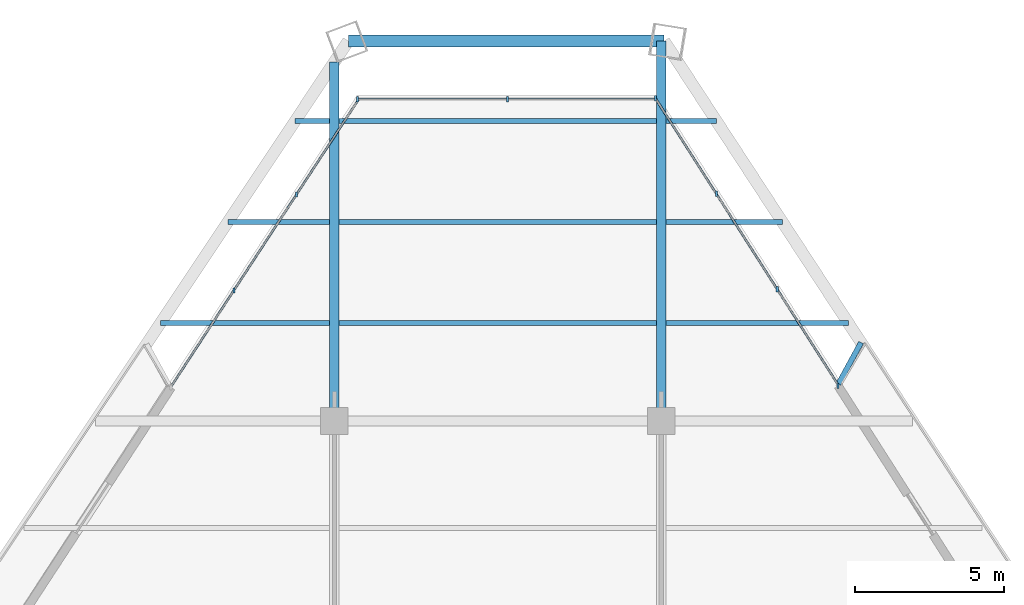
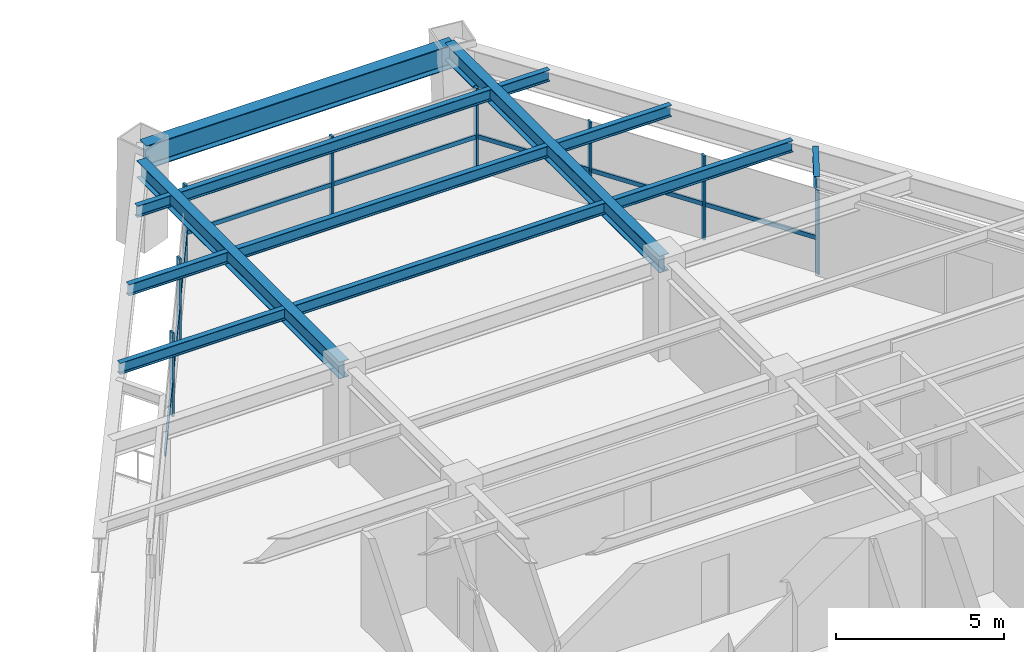
# One storey, part 9 of 15: 16 members, 13 beams, 3 elements without a shape of their own.
"""IFC4 building model written with IfcOpenShell, lengths in metres."""

from ifc_helpers import new_model, si_unit, direction, frame, origin, origin_2d, place, context, subcontext, project, spatial, rectangle, i_section, extrude, source, transform, mapped, material, material_profile, profile_set, type_object, element, aggregate, save


model = new_model("IFC4")

# Units and contexts
model_context = context("Model", 3, precision=1e-05, world=origin(), true_north=direction((0.0, 1.0)))
body_context = subcontext(model_context, "Body", "Model", "MODEL_VIEW")
ifc_project = project(units=[si_unit("LENGTHUNIT", "METRE"), si_unit("AREAUNIT", "SQUARE_METRE"), si_unit("VOLUMEUNIT", "CUBIC_METRE"), si_unit("PLANEANGLEUNIT", "RADIAN"), si_unit("MASSUNIT", "GRAM", prefix="KILO")], contexts=[model_context])

# Site, building, storey
site_placement = place(None, origin())
site = spatial("IfcSite", under=ifc_project, at=site_placement, CompositionType="ELEMENT")
building_placement = place(site_placement, origin())
building = spatial("IfcBuilding", under=site, at=building_placement, Name="Varnakhor Terracotta Tower", CompositionType="ELEMENT")
storey_placement = place(building_placement, frame((0.0, 0.0, 136.699951171875)))
storey = spatial("IfcBuildingStorey", under=building, at=storey_placement, Name="L34", CompositionType="ELEMENT", Elevation=136.699951171875)

# Beams
ifc_material_1 = material(Name="Steel S355", Category="steel")
ifc_material_profile_1 = material_profile(ifc_material_1, i_section(OverallWidth=0.179931640625, OverallDepth=0.4130859375, WebThickness=0.009765625, FlangeThickness=0.01611328125, FilletRadius=0.01806640625, at=origin_2d()), Name="W16X50")
ifc_profile_set_1 = profile_set([ifc_material_profile_1], Name="Steel S355")
beam_type_1 = type_object("IfcBeamType", Name="JST-W16X50", PredefinedType="JOIST", material=ifc_profile_set_1)
shared_shape_1 = source(origin(), body_context, "Body", "SweptSolid", [
    extrude(i_section(OverallWidth=0.179931640625, OverallDepth=0.4130859375, WebThickness=0.009765625, FlangeThickness=0.01611328125, FilletRadius=0.01806640625, at=origin_2d()), origin(), (0.0, 0.0, 1.0), 10.68310546875),
])
for number, where, z_axis, x_axis, name in (
    (1, (-5.341552734375, 34.800048828125, 3.263427734375), (1.0, 0.0, 0.0), (0.0, 1.0, 0.0), "L34 Composite Floor Joist 7-2"),
    (2, (-5.341552734375, 38.199951171875, 3.263427734375), (1.0, 0.0, 0.0), (0.0, 1.0, 0.0), "L34 Composite Floor Joist 8-2"),
    (3, (-5.341552734375, 41.60009765625, 3.263427734375), (1.0, 0.0, 0.0), (0.0, 1.0, 0.0), "L34 Composite Floor Joist 9-2"),
):
    element("IfcBeam", number, at=place(storey_placement, frame(where, z_axis=z_axis, x_axis=x_axis)), inside=storey, type_object=beam_type_1, Name=name, PredefinedType="JOIST", context=body_context, shape_type="MappedRepresentation", body=[
        mapped(shared_shape_1, transform((0.0, 0.0, 0.0), scale=1.0)),
    ])
ifc_material_profile_2 = material_profile(ifc_material_1, i_section(OverallWidth=0.39990234375, OverallDepth=0.85498046875, WebThickness=0.01806640625, FlangeThickness=0.029052734375, FilletRadius=0.01806640625, at=origin_2d()), Name="W33X201")
ifc_profile_set_2 = profile_set([ifc_material_profile_2], Name="Steel S355")
beam_type_2 = type_object("IfcBeamType", Name="BM-W33X201", PredefinedType="BEAM", material=ifc_profile_set_2)
shared_shape_2 = source(origin(), body_context, "Body", "SweptSolid", [
    extrude(i_section(OverallWidth=0.39990234375, OverallDepth=0.85498046875, WebThickness=0.01806640625, FlangeThickness=0.029052734375, FilletRadius=0.01806640625, at=origin_2d()), origin(), (0.0, 0.0, 1.0), 10.63232421875),
])
beam_1_placement = place(storey_placement, frame((5.600830078125, 44.288330078125, 3.04248046875), z_axis=(-1.0, 0.0, 0.0), x_axis=(0.0, -1.0, 0.0)))
element("IfcBeam", 4, at=beam_1_placement, inside=storey, type_object=beam_type_2, Name="L34 Perimeter Spandrel 5", PredefinedType="BEAM", context=body_context, shape_type="MappedRepresentation", body=[
    mapped(shared_shape_2, transform((0.0, 0.0, 0.0), scale=1.0)),
])
ifc_material_profile_3 = material_profile(ifc_material_1, i_section(OverallWidth=0.324951171875, OverallDepth=0.615966796875, WebThickness=0.013916015625, FlangeThickness=0.02197265625, FilletRadius=0.01806640625, at=origin_2d()), Name="W24X117")
ifc_profile_set_3 = profile_set([ifc_material_profile_3], Name="Steel S355")
beam_type_3 = type_object("IfcBeamType", Name="BM-W24X117", PredefinedType="BEAM", material=ifc_profile_set_3)
shared_shape_3 = source(origin(), body_context, "Body", "SweptSolid", [
    extrude(i_section(OverallWidth=0.324951171875, OverallDepth=0.615966796875, WebThickness=0.013916015625, FlangeThickness=0.02197265625, FilletRadius=0.01806640625, at=origin_2d()), origin(), (0.0, 0.0, 1.0), 12.0849609375),
])
beam_2_placement = place(storey_placement, frame((-5.5, 31.5, 3.162109375), z_axis=(0.0, 1.0, 0.0), x_axis=(-1.0, 0.0, 0.0)))
element("IfcBeam", 5, at=beam_2_placement, inside=storey, type_object=beam_type_3, Name="L34 Primary Girder NS3-W", PredefinedType="BEAM", context=body_context, shape_type="MappedRepresentation", body=[
    mapped(shared_shape_3, transform((0.0, 0.0, 0.0), scale=1.0)),
])
shared_shape_4 = source(origin(), body_context, "Body", "SweptSolid", [
    extrude(i_section(OverallWidth=0.324951171875, OverallDepth=0.615966796875, WebThickness=0.013916015625, FlangeThickness=0.02197265625, FilletRadius=0.01806640625, at=origin_2d()), origin(), (0.0, 0.0, 1.0), 12.788330078125),
])
beam_3_placement = place(storey_placement, frame((5.5, 31.5, 3.162109375), z_axis=(0.0, 1.0, 0.0), x_axis=(-1.0, 0.0, 0.0)))
element("IfcBeam", 6, at=beam_3_placement, inside=storey, type_object=beam_type_3, Name="L34 Primary Girder NS3-E", PredefinedType="BEAM", context=body_context, shape_type="MappedRepresentation", body=[
    mapped(shared_shape_4, transform((0.0, 0.0, 0.0), scale=1.0)),
])
shared_shape_5 = source(origin(), body_context, "Body", "SweptSolid", [
    extrude(i_section(OverallWidth=0.179931640625, OverallDepth=0.4130859375, WebThickness=0.009765625, FlangeThickness=0.01611328125, FilletRadius=0.01806640625, at=origin_2d()), origin(), (0.0, 0.0, 1.0), 5.69189453125),
])
beam_4_placement = place(storey_placement, frame((-11.350341796875, 34.800048828125, 3.263427734375), z_axis=(1.0, 0.0, 0.0), x_axis=(0.0, 1.0, 0.0)))
element("IfcBeam", 7, at=beam_4_placement, inside=storey, type_object=beam_type_1, Name="L34 Composite Floor Joist 7-1", PredefinedType="JOIST", context=body_context, shape_type="MappedRepresentation", body=[
    mapped(shared_shape_5, transform((0.0, 0.0, 0.0), scale=1.0)),
])
shared_shape_6 = source(origin(), body_context, "Body", "SweptSolid", [
    extrude(i_section(OverallWidth=0.179931640625, OverallDepth=0.4130859375, WebThickness=0.009765625, FlangeThickness=0.01611328125, FilletRadius=0.01806640625, at=origin_2d()), origin(), (0.0, 0.0, 1.0), 6.13916015625),
])
beam_5_placement = place(storey_placement, frame((5.658447265625, 34.800048828125, 3.263427734375), z_axis=(1.0, 0.0, 0.0), x_axis=(0.0, 1.0, 0.0)))
element("IfcBeam", 8, at=beam_5_placement, inside=storey, type_object=beam_type_1, Name="L34 Composite Floor Joist 7-3", PredefinedType="JOIST", context=body_context, shape_type="MappedRepresentation", body=[
    mapped(shared_shape_6, transform((0.0, 0.0, 0.0), scale=1.0)),
])
shared_shape_7 = source(origin(), body_context, "Body", "SweptSolid", [
    extrude(i_section(OverallWidth=0.179931640625, OverallDepth=0.4130859375, WebThickness=0.009765625, FlangeThickness=0.01611328125, FilletRadius=0.01806640625, at=origin_2d()), origin(), (0.0, 0.0, 1.0), 3.427734375),
])
beam_6_placement = place(storey_placement, frame((-9.086181640625, 38.199951171875, 3.263427734375), z_axis=(1.0, 0.0, 0.0), x_axis=(0.0, 1.0, 0.0)))
element("IfcBeam", 9, at=beam_6_placement, inside=storey, type_object=beam_type_1, Name="L34 Composite Floor Joist 8-1", PredefinedType="JOIST", context=body_context, shape_type="MappedRepresentation", body=[
    mapped(shared_shape_7, transform((0.0, 0.0, 0.0), scale=1.0)),
])
shared_shape_8 = source(origin(), body_context, "Body", "SweptSolid", [
    extrude(i_section(OverallWidth=0.179931640625, OverallDepth=0.4130859375, WebThickness=0.009765625, FlangeThickness=0.01611328125, FilletRadius=0.01806640625, at=origin_2d()), origin(), (0.0, 0.0, 1.0), 3.918701171875),
])
beam_7_placement = place(storey_placement, frame((5.658447265625, 38.199951171875, 3.263427734375), z_axis=(1.0, 0.0, 0.0), x_axis=(0.0, 1.0, 0.0)))
element("IfcBeam", 10, at=beam_7_placement, inside=storey, type_object=beam_type_1, Name="L34 Composite Floor Joist 8-3", PredefinedType="JOIST", context=body_context, shape_type="MappedRepresentation", body=[
    mapped(shared_shape_8, transform((0.0, 0.0, 0.0), scale=1.0)),
])
shared_shape_9 = source(origin(), body_context, "Body", "SweptSolid", [
    extrude(i_section(OverallWidth=0.179931640625, OverallDepth=0.4130859375, WebThickness=0.009765625, FlangeThickness=0.01611328125, FilletRadius=0.01806640625, at=origin_2d()), origin(), (0.0, 0.0, 1.0), 1.16357421875),
])
beam_8_placement = place(storey_placement, frame((-6.822021484375, 41.60009765625, 3.263427734375), z_axis=(1.0, 0.0, 0.0), x_axis=(0.0, 1.0, 0.0)))
element("IfcBeam", 11, at=beam_8_placement, inside=storey, type_object=beam_type_1, Name="L34 Composite Floor Joist 9-1", PredefinedType="JOIST", context=body_context, shape_type="MappedRepresentation", body=[
    mapped(shared_shape_9, transform((0.0, 0.0, 0.0), scale=1.0)),
])
shared_shape_10 = source(origin(), body_context, "Body", "SweptSolid", [
    extrude(i_section(OverallWidth=0.179931640625, OverallDepth=0.4130859375, WebThickness=0.009765625, FlangeThickness=0.01611328125, FilletRadius=0.01806640625, at=origin_2d()), origin(), (0.0, 0.0, 1.0), 1.6982421875),
])
beam_9_placement = place(storey_placement, frame((5.658447265625, 41.60009765625, 3.263427734375), z_axis=(1.0, 0.0, 0.0), x_axis=(0.0, 1.0, 0.0)))
element("IfcBeam", 12, at=beam_9_placement, inside=storey, type_object=beam_type_1, Name="L34 Composite Floor Joist 9-3", PredefinedType="JOIST", context=body_context, shape_type="MappedRepresentation", body=[
    mapped(shared_shape_10, transform((0.0, 0.0, 0.0), scale=1.0)),
])

# Curtain wall, members
ifc_material_2 = material(Name="Anodised Aluminium Curtain Wall System", Category="aluminium")
curtain_wall_type = type_object("IfcCurtainWallType", Name="CW-SYS-MID-OFFICE", PredefinedType="NOTDEFINED", material=ifc_material_2)
curtain_wall_1_placement = place(storey_placement, origin())
curtain_wall_1 = element("IfcCurtainWall", 13, at=curtain_wall_1_placement, inside=storey, type_object=curtain_wall_type, Name="L34 W Facet Curtain Wall 2", PredefinedType="NOTDEFINED")
ifc_material_3 = material(Name="Anodised Aluminium 6063-T6", Category="aluminium")
ifc_material_profile_4 = material_profile(ifc_material_3, rectangle(XDim=0.070068359375, YDim=0.175048828125, at=origin_2d()), Name="ALU MULLION 70x175")
ifc_profile_set_4 = profile_set([ifc_material_profile_4], Name="Anodised Aluminium 6063-T6")
member_type_1 = type_object("IfcMemberType", Name="CWM-03", PredefinedType="MULLION", material=ifc_profile_set_4)
shared_shape_11 = source(origin(), body_context, "Body", "SweptSolid", [
    extrude(rectangle(XDim=0.070068359375, YDim=0.175048828125, at=origin_2d()), origin(), (0.0, 0.0, 1.0), 3.050048828125),
])
member_1_placement = place(storey_placement, frame((-8.88330078125, 35.895751953125, 0.0), z_axis=(0.0, 0.0, 1.0), x_axis=(1.0, 0.0, 0.0)))
member_1 = element("IfcMember", 14, at=member_1_placement, type_object=member_type_1, Name="L34 W Facet Curtain Wall 2 Mullion 2", PredefinedType="MULLION", context=body_context, shape_type="MappedRepresentation", body=[
    mapped(shared_shape_11, transform((0.0, 0.0, 0.0), scale=1.0)),
])
member_2_placement = place(storey_placement, frame((-6.7724609375, 39.12841796875, 0.0), z_axis=(0.0, 0.0, 1.0), x_axis=(1.0, 0.0, 0.0)))
member_2 = element("IfcMember", 15, at=member_2_placement, type_object=member_type_1, Name="L34 W Facet Curtain Wall 2 Mullion 3", PredefinedType="MULLION", context=body_context, shape_type="MappedRepresentation", body=[
    mapped(shared_shape_11, transform((0.0, 0.0, 0.0), scale=1.0)),
])

curtain_wall_2_placement = place(storey_placement, origin())
curtain_wall_2 = element("IfcCurtainWall", 16, at=curtain_wall_2_placement, inside=storey, type_object=curtain_wall_type, Name="L34 Facet Curtain Wall 2", PredefinedType="NOTDEFINED")
member_3_placement = place(storey_placement, frame((-4.716064453125, 42.33203125, 0.0), z_axis=(0.0, 0.0, 1.0), x_axis=(1.0, 0.0, 0.0)))
member_3 = element("IfcMember", 17, at=member_3_placement, type_object=member_type_1, Name="L34 Facet Curtain Wall 2 Mullion 1", PredefinedType="MULLION", context=body_context, shape_type="MappedRepresentation", body=[
    mapped(shared_shape_11, transform((0.0, 0.0, 0.0), scale=1.0)),
])
member_4_placement = place(storey_placement, frame((0.32275390625, 42.33203125, 0.0), z_axis=(0.0, 0.0, 1.0), x_axis=(1.0, 0.0, 0.0)))
member_4 = element("IfcMember", 18, at=member_4_placement, type_object=member_type_1, Name="L34 Facet Curtain Wall 2 Mullion 2", PredefinedType="MULLION", context=body_context, shape_type="MappedRepresentation", body=[
    mapped(shared_shape_11, transform((0.0, 0.0, 0.0), scale=1.0)),
])

curtain_wall_3_placement = place(storey_placement, origin())
curtain_wall_3 = element("IfcCurtainWall", 19, at=curtain_wall_3_placement, inside=storey, type_object=curtain_wall_type, Name="L34 E Facet Curtain Wall 1", PredefinedType="NOTDEFINED")
member_5_placement = place(storey_placement, frame((5.306640625, 42.3623046875, 0.0), z_axis=(0.0, 0.0, 1.0), x_axis=(1.0, 0.0, 0.0)))
member_5 = element("IfcMember", 20, at=member_5_placement, type_object=member_type_1, Name="L34 E Facet Curtain Wall 1 Mullion 1", PredefinedType="MULLION", context=body_context, shape_type="MappedRepresentation", body=[
    mapped(shared_shape_11, transform((0.0, 0.0, 0.0), scale=1.0)),
])
member_6_placement = place(storey_placement, frame((7.356689453125, 39.147216796875, 0.0), z_axis=(0.0, 0.0, 1.0), x_axis=(1.0, 0.0, 0.0)))
member_6 = element("IfcMember", 21, at=member_6_placement, type_object=member_type_1, Name="L34 E Facet Curtain Wall 1 Mullion 2", PredefinedType="MULLION", context=body_context, shape_type="MappedRepresentation", body=[
    mapped(shared_shape_11, transform((0.0, 0.0, 0.0), scale=1.0)),
])
member_7_placement = place(storey_placement, frame((9.40673828125, 35.93212890625, 0.0), z_axis=(0.0, 0.0, 1.0), x_axis=(1.0, 0.0, 0.0)))
member_7 = element("IfcMember", 22, at=member_7_placement, type_object=member_type_1, Name="L34 E Facet Curtain Wall 1 Mullion 3", PredefinedType="MULLION", context=body_context, shape_type="MappedRepresentation", body=[
    mapped(shared_shape_11, transform((0.0, 0.0, 0.0), scale=1.0)),
])
member_8_placement = place(storey_placement, frame((11.456298828125, 32.680908203125, 0.0), z_axis=(0.0, 0.0, 1.0), x_axis=(1.0, 0.0, 0.0)))
member_8 = element("IfcMember", 23, at=member_8_placement, type_object=member_type_1, Name="L34 E Loggia Jamb Closure Mullion 1", PredefinedType="MULLION", context=body_context, shape_type="MappedRepresentation", body=[
    mapped(shared_shape_11, transform((0.0, 0.0, 0.0), scale=1.0)),
])

# Member
ifc_material_profile_5 = material_profile(ifc_material_3, rectangle(XDim=0.070068359375, YDim=0.155029296875, at=origin_2d()), Name="ALU TRANSOM 70x155")
ifc_profile_set_5 = profile_set([ifc_material_profile_5], Name="Anodised Aluminium 6063-T6")
member_type_2 = type_object("IfcMemberType", Name="CWT-03", PredefinedType="USERDEFINED", material=ifc_profile_set_5)
shared_shape_12 = source(origin(), body_context, "Body", "SweptSolid", [
    extrude(rectangle(XDim=0.070068359375, YDim=0.155029296875, at=origin_2d()), origin(), (0.0, 0.0, 1.0), 3.86083984375),
])
member_9_placement = place(storey_placement, frame((-10.993896484375, 32.662841796875, 1.281005859375), z_axis=(0.546663145609, 0.837352617022, 0.0), x_axis=(-0.837352617022, 0.546663145609, 0.0)))
member_9 = element("IfcMember", 24, at=member_9_placement, type_object=member_type_2, Name="L34 W Facet Curtain Wall 2 Transom 1", ObjectType="TRANSOM", PredefinedType="USERDEFINED", context=body_context, shape_type="MappedRepresentation", body=[
    mapped(shared_shape_12, transform((0.0, 0.0, 0.0), scale=1.0)),
])

member_10_placement = place(storey_placement, frame((-8.88330078125, 35.895751953125, 1.281005859375), z_axis=(0.546736428027, 0.837304770241, 0.0), x_axis=(-0.837304770241, 0.546736428027, 0.0)))
member_10 = element("IfcMember", 25, at=member_10_placement, type_object=member_type_2, Name="L34 W Facet Curtain Wall 2 Transom 2", ObjectType="TRANSOM", PredefinedType="USERDEFINED", context=body_context, shape_type="MappedRepresentation", body=[
    mapped(shared_shape_12, transform((0.0, 0.0, 0.0), scale=1.0)),
])

member_11_placement = place(storey_placement, frame((-6.7724609375, 39.12841796875, 1.281005859375), z_axis=(0.546663145609, 0.837352617022, 0.0), x_axis=(-0.837352617022, 0.546663145609, 0.0)))
member_11 = element("IfcMember", 26, at=member_11_placement, type_object=member_type_2, Name="L34 W Facet Curtain Wall 2 Transom 3", ObjectType="TRANSOM", PredefinedType="USERDEFINED", context=body_context, shape_type="MappedRepresentation", body=[
    mapped(shared_shape_12, transform((0.0, 0.0, 0.0), scale=1.0)),
])

aggregate(curtain_wall_1, [member_9, member_1, member_10, member_2, member_11])

shared_shape_13 = source(origin(), body_context, "Body", "SweptSolid", [
    extrude(rectangle(XDim=0.070068359375, YDim=0.155029296875, at=origin_2d()), origin(), (0.0, 0.0, 1.0), 5.038818359375),
])
member_12_placement = place(storey_placement, frame((-4.716064453125, 42.33203125, 1.281005859375), z_axis=(1.0, 0.0, 0.0), x_axis=(0.0, 1.0, 0.0)))
member_12 = element("IfcMember", 27, at=member_12_placement, type_object=member_type_2, Name="L34 Facet Curtain Wall 2 Transom 1", ObjectType="TRANSOM", PredefinedType="USERDEFINED", context=body_context, shape_type="MappedRepresentation", body=[
    mapped(shared_shape_13, transform((0.0, 0.0, 0.0), scale=1.0)),
])

member_13_placement = place(storey_placement, frame((0.32275390625, 42.33203125, 1.281005859375), z_axis=(1.0, 0.0, 0.0), x_axis=(0.0, 1.0, 0.0)))
member_13 = element("IfcMember", 28, at=member_13_placement, type_object=member_type_2, Name="L34 Facet Curtain Wall 2 Transom 2", ObjectType="TRANSOM", PredefinedType="USERDEFINED", context=body_context, shape_type="MappedRepresentation", body=[
    mapped(shared_shape_13, transform((0.0, 0.0, 0.0), scale=1.0)),
])

aggregate(curtain_wall_2, [member_3, member_12, member_4, member_13])

shared_shape_14 = source(origin(), body_context, "Body", "SweptSolid", [
    extrude(rectangle(XDim=0.070068359375, YDim=0.155029296875, at=origin_2d()), origin(), (0.0, 0.0, 1.0), 3.81298828125),
])
member_14_placement = place(storey_placement, frame((5.306640625, 42.3623046875, 1.281005859375), z_axis=(0.537637575012, -0.843176042079, 0.0), x_axis=(0.843176042079, 0.537637575012, 0.0)))
member_14 = element("IfcMember", 29, at=member_14_placement, type_object=member_type_2, Name="L34 E Facet Curtain Wall 1 Transom 1", ObjectType="TRANSOM", PredefinedType="USERDEFINED", context=body_context, shape_type="MappedRepresentation", body=[
    mapped(shared_shape_14, transform((0.0, 0.0, 0.0), scale=1.0)),
])

member_15_placement = place(storey_placement, frame((7.356689453125, 39.147216796875, 1.281005859375), z_axis=(0.537637575012, -0.843176042079, 0.0), x_axis=(0.843176042079, 0.537637575012, 0.0)))
member_15 = element("IfcMember", 30, at=member_15_placement, type_object=member_type_2, Name="L34 E Facet Curtain Wall 1 Transom 2", ObjectType="TRANSOM", PredefinedType="USERDEFINED", context=body_context, shape_type="MappedRepresentation", body=[
    mapped(shared_shape_14, transform((0.0, 0.0, 0.0), scale=1.0)),
])

shared_shape_15 = source(origin(), body_context, "Body", "SweptSolid", [
    extrude(rectangle(XDim=0.070068359375, YDim=0.155029296875, at=origin_2d()), origin(), (0.0, 0.0, 1.0), 3.813232421875),
])
member_16_placement = place(storey_placement, frame((9.40673828125, 35.93212890625, 1.281005859375), z_axis=(0.537683092633, -0.843147016775, 0.0), x_axis=(0.843147016775, 0.537683092633, 0.0)))
member_16 = element("IfcMember", 31, at=member_16_placement, type_object=member_type_2, Name="L34 E Facet Curtain Wall 1 Transom 3", ObjectType="TRANSOM", PredefinedType="USERDEFINED", context=body_context, shape_type="MappedRepresentation", body=[
    mapped(shared_shape_15, transform((0.0, 0.0, 0.0), scale=1.0)),
])

aggregate(curtain_wall_3, [member_5, member_14, member_6, member_15, member_7, member_16, member_8])

# Beam
ifc_material_profile_6 = material_profile(ifc_material_1, i_section(OverallWidth=0.179931640625, OverallDepth=0.39990234375, WebThickness=0.008544921875, FlangeThickness=0.013427734375, FilletRadius=0.01806640625, at=origin_2d()), Name="IPE400")
ifc_profile_set_6 = profile_set([ifc_material_profile_6], Name="Steel S355")
beam_type_4 = type_object("IfcBeamType", Name="JST-IPE400", PredefinedType="JOIST", material=ifc_profile_set_6)
shared_shape_16 = source(origin(), body_context, "Body", "SweptSolid", [
    extrude(i_section(OverallWidth=0.179931640625, OverallDepth=0.39990234375, WebThickness=0.008544921875, FlangeThickness=0.013427734375, FilletRadius=0.01806640625, at=origin_2d()), origin(), (0.0, 0.0, 1.0), 1.597412109375),
])
beam_10_placement = place(storey_placement, frame((11.463134765625, 32.73828125, 3.27001953125), z_axis=(0.479141227813, 0.877737821795, 0.0), x_axis=(-0.877737821795, 0.479141227813, 0.0)))
element("IfcBeam", 32, at=beam_10_placement, inside=storey, type_object=beam_type_4, Name="L35 E Loggia Tie Beam 1", PredefinedType="JOIST", context=body_context, shape_type="MappedRepresentation", body=[
    mapped(shared_shape_16, transform((0.0, 0.0, 0.0), scale=1.0)),
])

save(model, "model.ifc")
